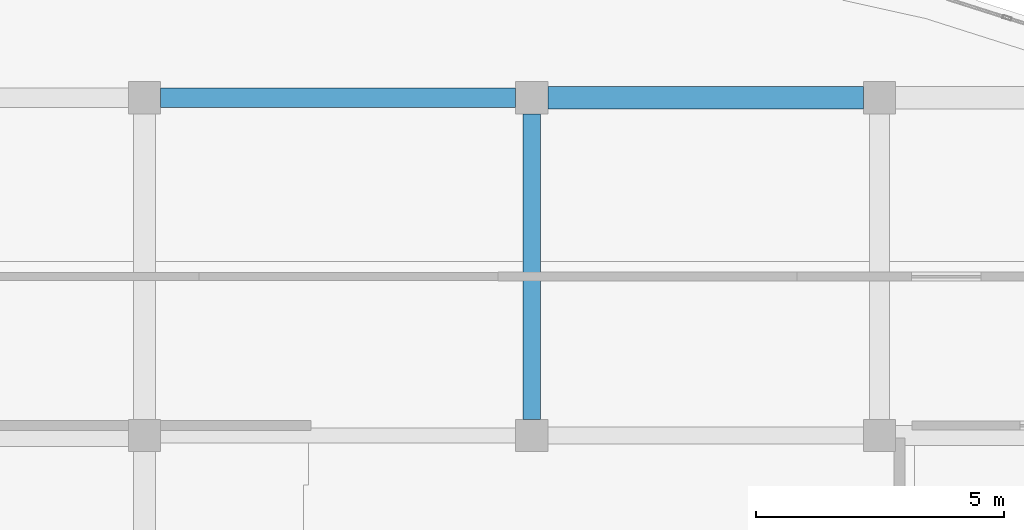
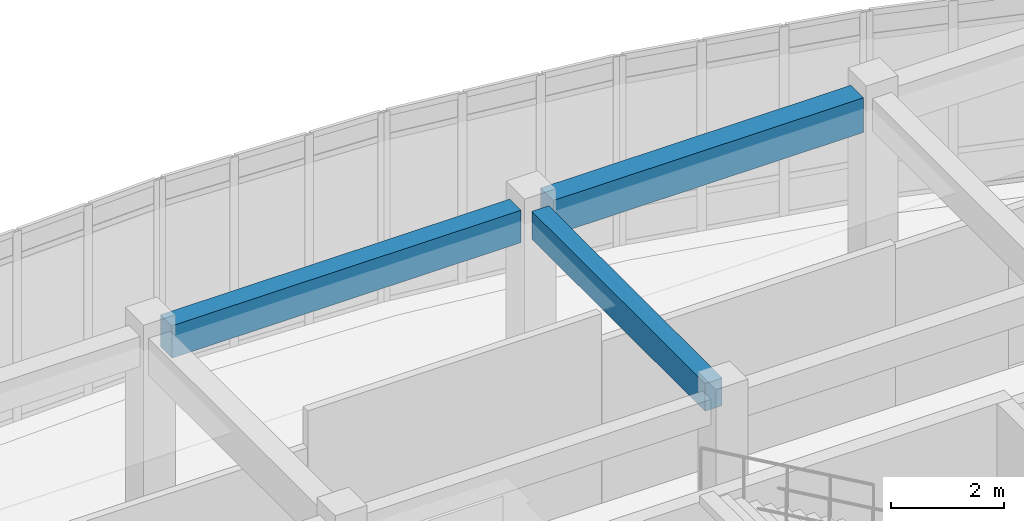
# One storey, part 46 of 142: 3 beams.
"""IFC4 building model written with IfcOpenShell, lengths in metres."""

from ifc_helpers import new_model, si_unit, direction, frame, origin, origin_2d, place, context, subcontext, project, spatial, rectangle, extrude, material, material_profile, profile_set, type_object, element, save


model = new_model("IFC4")

# Units and contexts
model_context = context("Model", 3, precision=1e-05, world=origin(), true_north=direction((0.0, 1.0)))
body_context = subcontext(model_context, "Body", "Model", "MODEL_VIEW")
ifc_project = project(units=[si_unit("LENGTHUNIT", "METRE"), si_unit("AREAUNIT", "SQUARE_METRE"), si_unit("VOLUMEUNIT", "CUBIC_METRE"), si_unit("PLANEANGLEUNIT", "RADIAN"), si_unit("MASSUNIT", "GRAM", prefix="KILO")], contexts=[model_context])

# Site, building, storey
site_placement = place(None, origin())
site = spatial("IfcSite", under=ifc_project, at=site_placement, CompositionType="ELEMENT")
building_placement = place(site_placement, origin())
building = spatial("IfcBuilding", under=site, at=building_placement, Name="Valcora Specialist Clinic", CompositionType="ELEMENT")
storey_placement = place(building_placement, frame((0.0, 0.0, 5.10009765625)))
storey = spatial("IfcBuildingStorey", under=building, at=storey_placement, Name="L01", CompositionType="ELEMENT", Elevation=5.10009765625)

# Beams
ifc_material = material(Name="Concrete C40/50", Category="concrete")
ifc_material_profile_1 = material_profile(ifc_material, rectangle(XDim=0.35009765625, YDim=0.60009765625, at=origin_2d()), Name="RC-BM-350X600")
ifc_profile_set_1 = profile_set([ifc_material_profile_1], Name="Concrete C40/50")
beam_type_1 = type_object("IfcBeamType", Name="TY-BM-RC350X600", PredefinedType="BEAM", material=ifc_profile_set_1)
beam_1_placement = place(storey_placement, frame((92.39990234375, 15.52490234375, 3.804931640625), z_axis=(0.0, 1.0, 0.0), x_axis=(-1.0, 0.0, 0.0)))
element("IfcBeam", 1, at=beam_1_placement, inside=storey, type_object=beam_type_1, Name="Beam BM-L01-1344", PredefinedType="BEAM", context=body_context, shape_type="SweptSolid", body=[
    extrude(rectangle(XDim=0.35009765625, YDim=0.60009765625, at=origin_2d()), origin(), (0.0, 0.0, 1.0), 6.150146484375),
])
ifc_material_profile_2 = material_profile(ifc_material, rectangle(XDim=0.39990234375, YDim=0.699951171875, at=origin_2d()), Name="RC-BM-400X700")
ifc_profile_set_2 = profile_set([ifc_material_profile_2], Name="Concrete C40/50")
beam_type_2 = type_object("IfcBeamType", Name="TY-BM-RC400X700", PredefinedType="BEAM", material=ifc_profile_set_2)
beam_2_placement = place(storey_placement, frame((84.925048828125, 22.0, 3.7548828125), z_axis=(1.0, 0.0, 0.0), x_axis=(0.0, 1.0, 0.0)))
element("IfcBeam", 2, at=beam_2_placement, inside=storey, type_object=beam_type_2, Name="Beam BM-L01-1324", PredefinedType="BEAM", context=body_context, shape_type="SweptSolid", body=[
    extrude(rectangle(XDim=0.39990234375, YDim=0.699951171875, at=origin_2d()), origin(), (0.0, 0.0, 1.0), 7.14990234375),
])
ifc_material_profile_3 = material_profile(ifc_material, rectangle(XDim=0.449951171875, YDim=0.75, at=origin_2d()), Name="RC-BM-450X750")
ifc_profile_set_3 = profile_set([ifc_material_profile_3], Name="Concrete C40/50")
beam_type_3 = type_object("IfcBeamType", Name="TY-BM-RC450X750", PredefinedType="BEAM", material=ifc_profile_set_3)
beam_3_placement = place(storey_placement, frame((92.72509765625, 22.0, 3.72998046875), z_axis=(1.0, 0.0, 0.0), x_axis=(0.0, 1.0, 0.0)))
element("IfcBeam", 3, at=beam_3_placement, inside=storey, type_object=beam_type_3, Name="Beam BM-L01-1325", PredefinedType="BEAM", context=body_context, shape_type="SweptSolid", body=[
    extrude(rectangle(XDim=0.449951171875, YDim=0.75, at=origin_2d()), origin(), (0.0, 0.0, 1.0), 6.349853515625),
])

save(model, "model.ifc")
